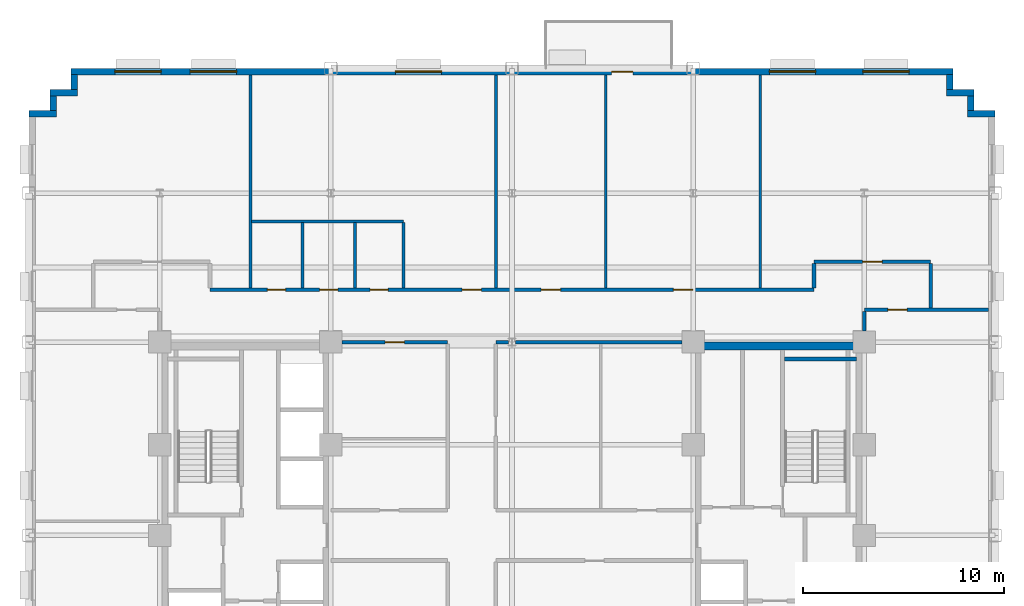
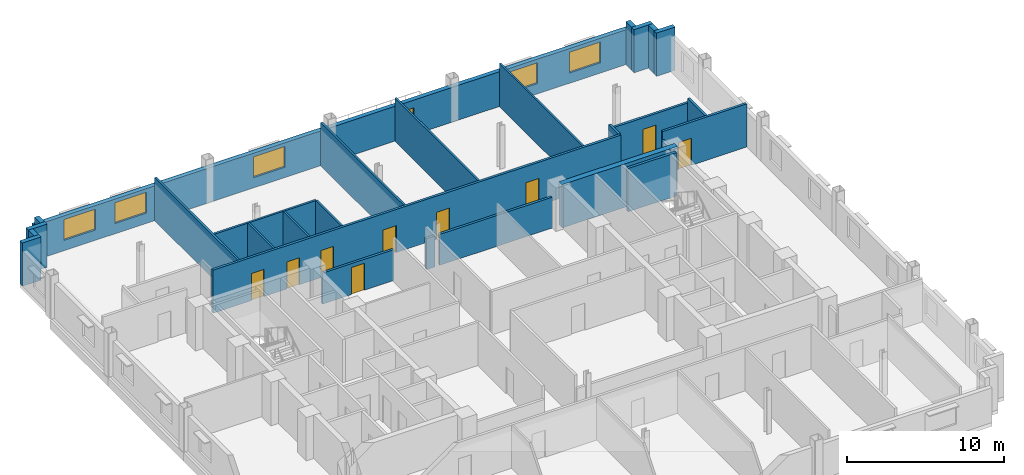
# One storey, part 9 of 14: 28 walls, 10 doors, 5 windows, 15 openings.
"""IFC4 building model written with IfcOpenShell, lengths in metres."""

from ifc_helpers import new_model, si_unit, direction, frame, frame_2d, origin, place, context, subcontext, project, spatial, rectangle, extrude, source, transform, mapped, material, layer, layer_set, type_object, type_shapes, element, fill, save


model = new_model("IFC4")

# Units and contexts
model_context = context("Model", 3, precision=1e-05, world=origin(), true_north=direction((0.0, 1.0)))
body_context = subcontext(model_context, "Body", "Model", "MODEL_VIEW")
ifc_project = project(units=[si_unit("LENGTHUNIT", "METRE"), si_unit("AREAUNIT", "SQUARE_METRE"), si_unit("VOLUMEUNIT", "CUBIC_METRE"), si_unit("PLANEANGLEUNIT", "RADIAN"), si_unit("MASSUNIT", "GRAM", prefix="KILO")], contexts=[model_context])

# Site, building, storey
site_placement = place(None, origin())
site = spatial("IfcSite", under=ifc_project, at=site_placement, CompositionType="ELEMENT")
building_placement = place(site_placement, origin())
building = spatial("IfcBuilding", under=site, at=building_placement, Name="Nuvemarco Arch Tower", CompositionType="ELEMENT")
storey_placement = place(building_placement, frame((0.0, 0.0, 98.300048828125)))
storey = spatial("IfcBuildingStorey", under=building, at=storey_placement, Name="L25", CompositionType="ELEMENT", Elevation=98.300048828125)

# Walls
ifc_material_1 = material(Name="Precast concrete C45/55", Category="concrete")
ifc_layer_1 = layer(ifc_material_1, 0.320068359375, Name="EW-MID-320")
ifc_layer_set_1 = layer_set([ifc_layer_1], Name="Precast concrete C45/55")
wall_type_1 = type_object("IfcWallType", Name="EW-MID-320", PredefinedType="STANDARD", material=ifc_layer_set_1)
wall_1_placement = place(storey_placement, frame((22.6298828125, 20.93994140625, 0.0), z_axis=(0.0, 0.0, 1.0), x_axis=(1.0, 0.0, 0.0)))
element("IfcWall", 1, at=wall_1_placement, inside=storey, type_object=wall_type_1, Name="L25 exterior precast facade wall 7", PredefinedType="STANDARD", context=body_context, shape_type="SweptSolid", body=[
    extrude(rectangle(XDim=1.3701171875, YDim=0.320068359375, at=frame_2d((0.68505859375, 0.0))), origin(), (0.0, 0.0, 1.0), 3.35986328125),
])
wall_2_placement = place(storey_placement, frame((22.7900390625, 21.095947265625, 0.0), z_axis=(0.0, 0.0, 1.0), x_axis=(0.0, 1.0, 0.0)))
element("IfcWall", 2, at=wall_2_placement, inside=storey, type_object=wall_type_1, Name="L25 exterior precast facade wall 8", PredefinedType="STANDARD", context=body_context, shape_type="SweptSolid", body=[
    extrude(rectangle(XDim=0.738037109375, YDim=0.320068359375, at=frame_2d((0.369140625, 0.0))), origin(), (0.0, 0.0, 1.0), 3.35986328125),
])
wall_3_placement = place(storey_placement, frame((21.580078125, 21.989990234375, 0.0), z_axis=(0.0, 0.0, 1.0), x_axis=(1.0, 0.0, 0.0)))
element("IfcWall", 3, at=wall_3_placement, inside=storey, type_object=wall_type_1, Name="L25 exterior precast facade wall 9", PredefinedType="STANDARD", context=body_context, shape_type="SweptSolid", body=[
    extrude(rectangle(XDim=1.369873046875, YDim=0.320068359375, at=frame_2d((0.68505859375, 0.0))), origin(), (0.0, 0.0, 1.0), 3.35986328125),
])
wall_4_placement = place(storey_placement, frame((21.739990234375, 22.14599609375, 0.0), z_axis=(0.0, 0.0, 1.0), x_axis=(0.0, 1.0, 0.0)))
element("IfcWall", 4, at=wall_4_placement, inside=storey, type_object=wall_type_1, Name="L25 exterior precast facade wall 10", PredefinedType="STANDARD", context=body_context, shape_type="SweptSolid", body=[
    extrude(rectangle(XDim=0.738037109375, YDim=0.320068359375, at=frame_2d((0.369140625, 0.0))), origin(), (0.0, 0.0, 1.0), 3.35986328125),
])

# Wall, openings, door, windows
wall_5_placement = place(storey_placement, frame((-21.89990234375, 23.0400390625, 0.0), z_axis=(0.0, 0.0, 1.0), x_axis=(1.0, 0.0, 0.0)))
wall_5 = element("IfcWall", 5, at=wall_5_placement, inside=storey, type_object=wall_type_1, Name="L25 exterior precast facade wall 11", PredefinedType="STANDARD", context=body_context, shape_type="SweptSolid", body=[
    extrude(rectangle(XDim=43.7998046875, YDim=0.320068359375, at=frame_2d((21.89990234375, 0.0))), origin(), (0.0, 0.0, 1.0), 2.704833984375),
])
opening_1_placement = place(wall_5_placement, frame((26.85009765625, 0.0, 0.0)))
opening_1 = element("IfcOpeningElement", 6, at=opening_1_placement, cuts=wall_5, Name="Opening ED-5", PredefinedType="OPENING", context=body_context, shape_type="SweptSolid", body=[
    extrude(rectangle(XDim=1.050048828125, YDim=2.10009765625, at=frame_2d((0.52490234375, 1.050048828125))), frame((0.0, 0.169921875, 0.0), z_axis=(0.0, -1.0, 0.0), x_axis=(1.0, 0.0, 0.0)), (0.0, 0.0, 1.0), 0.340087890625),
])
opening_2_placement = place(wall_5_placement, frame((2.172119140625, 0.0, 0.800048828125)))
opening_2 = element("IfcOpeningElement", 7, at=opening_2_placement, cuts=wall_5, Name="Opening WN-10", PredefinedType="OPENING", context=body_context, shape_type="SweptSolid", body=[
    extrude(rectangle(XDim=2.300048828125, YDim=1.6201171875, at=frame_2d((1.14990234375, 0.81005859375))), frame((0.0, 0.169921875, 0.0), z_axis=(0.0, -1.0, 0.0), x_axis=(1.0, 0.0, 0.0)), (0.0, 0.0, 1.0), 0.340087890625),
])
opening_3_placement = place(wall_5_placement, frame((5.916748046875, 0.0, 0.800048828125)))
opening_3 = element("IfcOpeningElement", 8, at=opening_3_placement, cuts=wall_5, Name="Opening WN-10", PredefinedType="OPENING", context=body_context, shape_type="SweptSolid", body=[
    extrude(rectangle(XDim=2.300048828125, YDim=1.6201171875, at=frame_2d((1.14990234375, 0.81005859375))), frame((0.0, 0.169921875, 0.0), z_axis=(0.0, -1.0, 0.0), x_axis=(1.0, 0.0, 0.0)), (0.0, 0.0, 1.0), 0.340087890625),
])
opening_4_placement = place(wall_5_placement, frame((16.105712890625, 0.0, 0.800048828125)))
opening_4 = element("IfcOpeningElement", 9, at=opening_4_placement, cuts=wall_5, Name="Opening WN-10", PredefinedType="OPENING", context=body_context, shape_type="SweptSolid", body=[
    extrude(rectangle(XDim=2.300048828125, YDim=1.6201171875, at=frame_2d((1.14990234375, 0.81005859375))), frame((0.0, 0.169921875, 0.0), z_axis=(0.0, -1.0, 0.0), x_axis=(1.0, 0.0, 0.0)), (0.0, 0.0, 1.0), 0.340087890625),
])
opening_5_placement = place(wall_5_placement, frame((34.683349609375, 0.0, 0.800048828125)))
opening_5 = element("IfcOpeningElement", 10, at=opening_5_placement, cuts=wall_5, Name="Opening WN-10", PredefinedType="OPENING", context=body_context, shape_type="SweptSolid", body=[
    extrude(rectangle(XDim=2.300048828125, YDim=1.6201171875, at=frame_2d((1.14990234375, 0.81005859375))), frame((0.0, 0.169921875, 0.0), z_axis=(0.0, -1.0, 0.0), x_axis=(1.0, 0.0, 0.0)), (0.0, 0.0, 1.0), 0.340087890625),
])
opening_6_placement = place(wall_5_placement, frame((39.327880859375, 0.0, 0.800048828125)))
opening_6 = element("IfcOpeningElement", 11, at=opening_6_placement, cuts=wall_5, Name="Opening WN-10", PredefinedType="OPENING", context=body_context, shape_type="SweptSolid", body=[
    extrude(rectangle(XDim=2.300048828125, YDim=1.6201171875, at=frame_2d((1.14990234375, 0.81005859375))), frame((0.0, 0.169921875, 0.0), z_axis=(0.0, -1.0, 0.0), x_axis=(1.0, 0.0, 0.0)), (0.0, 0.0, 1.0), 0.340087890625),
])
ifc_material_2 = material(Name="Anodised bronze and laminated glass", Category="glass")
door_type_1 = type_object("IfcDoorType", Name="DR-EXT-TERR", OperationType="NOTDEFINED", PredefinedType="DOOR", material=ifc_material_2)
shared_shape_1 = source(origin(), body_context, "Body", "SweptSolid", [
    extrude(rectangle(XDim=1.050048828125, YDim=2.10009765625, at=frame_2d((0.52490234375, 1.050048828125))), frame((0.0, 0.02490234375, 0.0), z_axis=(0.0, -1.0, 0.0), x_axis=(1.0, 0.0, 0.0)), (0.0, 0.0, 1.0), 0.050048828125),
])
type_shapes(door_type_1, [shared_shape_1])
door_1_placement = place(opening_1_placement, origin())
door_1 = element("IfcDoor", 12, at=door_1_placement, inside=storey, type_object=door_type_1, Name="L25 spiral terrace access door", OperationType="SINGLE_SWING_LEFT", OverallHeight=2.10009765625, OverallWidth=1.050048828125, PredefinedType="DOOR", context=body_context, shape_type="MappedRepresentation", body=[
    mapped(shared_shape_1, transform((0.0, 0.0, 0.0), scale=1.0)),
])
fill(opening_1, door_1)
ifc_material_3 = material(Name="Insulated solar-control glass", Category="glass")
window_type = type_object("IfcWindowType", Name="WN-STEP-2300x1700", PartitioningType="DOUBLE_PANEL_VERTICAL", PredefinedType="WINDOW", material=ifc_material_3)
shared_shape_2 = source(origin(), body_context, "Body", "SweptSolid", [
    extrude(rectangle(XDim=2.300048828125, YDim=1.6201171875, at=frame_2d((1.14990234375, 0.81005859375))), frame((0.0, 0.030029296875, 0.0), z_axis=(0.0, -1.0, 0.0), x_axis=(1.0, 0.0, 0.0)), (0.0, 0.0, 1.0), 0.06005859375),
])
type_shapes(window_type, [shared_shape_2])
window_1_placement = place(opening_2_placement, origin())
window_1 = element("IfcWindow", 13, at=window_1_placement, inside=storey, type_object=window_type, Name="L25 punched facade window 1", OverallHeight=1.6201171875, OverallWidth=2.300048828125, PartitioningType="SINGLE_PANEL", PredefinedType="WINDOW", context=body_context, shape_type="MappedRepresentation", body=[
    mapped(shared_shape_2, transform((0.0, 0.0, 0.0), scale=1.0)),
])
fill(opening_2, window_1)
window_2_placement = place(opening_3_placement, origin())
window_2 = element("IfcWindow", 14, at=window_2_placement, inside=storey, type_object=window_type, Name="L25 punched facade window 2", OverallHeight=1.6201171875, OverallWidth=2.300048828125, PartitioningType="SINGLE_PANEL", PredefinedType="WINDOW", context=body_context, shape_type="MappedRepresentation", body=[
    mapped(shared_shape_2, transform((0.0, 0.0, 0.0), scale=1.0)),
])
fill(opening_3, window_2)
window_3_placement = place(opening_4_placement, origin())
window_3 = element("IfcWindow", 15, at=window_3_placement, inside=storey, type_object=window_type, Name="L25 punched facade window 4", OverallHeight=1.6201171875, OverallWidth=2.300048828125, PartitioningType="SINGLE_PANEL", PredefinedType="WINDOW", context=body_context, shape_type="MappedRepresentation", body=[
    mapped(shared_shape_2, transform((0.0, 0.0, 0.0), scale=1.0)),
])
fill(opening_4, window_3)
window_4_placement = place(opening_5_placement, origin())
window_4 = element("IfcWindow", 16, at=window_4_placement, inside=storey, type_object=window_type, Name="L25 punched facade window 8", OverallHeight=1.6201171875, OverallWidth=2.300048828125, PartitioningType="SINGLE_PANEL", PredefinedType="WINDOW", context=body_context, shape_type="MappedRepresentation", body=[
    mapped(shared_shape_2, transform((0.0, 0.0, 0.0), scale=1.0)),
])
fill(opening_5, window_4)
window_5_placement = place(opening_6_placement, origin())
window_5 = element("IfcWindow", 17, at=window_5_placement, inside=storey, type_object=window_type, Name="L25 punched facade window 9", OverallHeight=1.6201171875, OverallWidth=2.300048828125, PartitioningType="SINGLE_PANEL", PredefinedType="WINDOW", context=body_context, shape_type="MappedRepresentation", body=[
    mapped(shared_shape_2, transform((0.0, 0.0, 0.0), scale=1.0)),
])
fill(opening_6, window_5)

# Walls
wall_6_placement = place(storey_placement, frame((-21.739990234375, 22.14599609375, 0.0), z_axis=(0.0, 0.0, 1.0), x_axis=(0.0, 1.0, 0.0)))
element("IfcWall", 18, at=wall_6_placement, inside=storey, type_object=wall_type_1, Name="L25 exterior precast facade wall 12", PredefinedType="STANDARD", context=body_context, shape_type="SweptSolid", body=[
    extrude(rectangle(XDim=0.738037109375, YDim=0.320068359375, at=frame_2d((0.369140625, 0.0))), origin(), (0.0, 0.0, 1.0), 3.35986328125),
])
wall_7_placement = place(storey_placement, frame((-22.949951171875, 21.989990234375, 0.0), z_axis=(0.0, 0.0, 1.0), x_axis=(1.0, 0.0, 0.0)))
element("IfcWall", 19, at=wall_7_placement, inside=storey, type_object=wall_type_1, Name="L25 exterior precast facade wall 13", PredefinedType="STANDARD", context=body_context, shape_type="SweptSolid", body=[
    extrude(rectangle(XDim=1.369873046875, YDim=0.320068359375, at=frame_2d((0.68505859375, 0.0))), origin(), (0.0, 0.0, 1.0), 3.35986328125),
])
wall_8_placement = place(storey_placement, frame((-22.7900390625, 21.095947265625, 0.0), z_axis=(0.0, 0.0, 1.0), x_axis=(0.0, 1.0, 0.0)))
element("IfcWall", 20, at=wall_8_placement, inside=storey, type_object=wall_type_1, Name="L25 exterior precast facade wall 14", PredefinedType="STANDARD", context=body_context, shape_type="SweptSolid", body=[
    extrude(rectangle(XDim=0.738037109375, YDim=0.320068359375, at=frame_2d((0.369140625, 0.0))), origin(), (0.0, 0.0, 1.0), 3.35986328125),
])
wall_9_placement = place(storey_placement, frame((-24.0, 20.93994140625, 0.0), z_axis=(0.0, 0.0, 1.0), x_axis=(1.0, 0.0, 0.0)))
element("IfcWall", 21, at=wall_9_placement, inside=storey, type_object=wall_type_1, Name="L25 exterior precast facade wall 15", PredefinedType="STANDARD", context=body_context, shape_type="SweptSolid", body=[
    extrude(rectangle(XDim=1.3701171875, YDim=0.320068359375, at=frame_2d((0.68505859375, 0.0))), origin(), (0.0, 0.0, 1.0), 3.35986328125),
])
ifc_material_4 = material(Name="Concrete C60/75", Category="concrete")
ifc_layer_2 = layer(ifc_material_4, 0.39990234375, Name="WL-CORE-400")
ifc_layer_set_2 = layer_set([ifc_layer_2], Name="Concrete C60/75")
wall_type_2 = type_object("IfcWallType", Name="WL-CORE-400", PredefinedType="SHEAR", material=ifc_layer_set_2)
wall_10_placement = place(storey_placement, frame((9.0, 9.39990234375, 0.0), z_axis=(0.0, 0.0, 1.0), x_axis=(1.0, 0.0, 0.0)))
element("IfcWall", 22, at=wall_10_placement, inside=storey, type_object=wall_type_2, Name="L25 E-core shear wall N", PredefinedType="SHEAR", context=body_context, shape_type="SweptSolid", body=[
    extrude(rectangle(XDim=8.5, YDim=0.39990234375, at=frame_2d((4.25, 0.0))), origin(), (0.0, 0.0, 1.0), 3.369873046875),
])

# Wall, opening, door
ifc_material_5 = material(Name="Fire-rated gypsum drywall partition")
ifc_layer_3 = layer(ifc_material_5, 0.179931640625, Name="WL-CORR-180")
ifc_layer_set_3 = layer_set([ifc_layer_3], Name="Fire-rated gypsum drywall partition")
wall_type_3 = type_object("IfcWallType", Name="WL-CORR-180", PredefinedType="PARTITIONING", material=ifc_layer_set_3)
wall_11_placement = place(storey_placement, frame((-8.4541015625, 9.60009765625, 0.0), z_axis=(0.0, 0.0, 1.0), x_axis=(1.0, 0.0, 0.0)))
wall_11 = element("IfcWall", 23, at=wall_11_placement, inside=storey, type_object=wall_type_3, Name="L25 interior wall IW-L25-015", PredefinedType="PARTITIONING", context=body_context, shape_type="SweptSolid", body=[
    extrude(rectangle(XDim=5.254150390625, YDim=0.179931640625, at=frame_2d((2.626953125, 0.0))), origin(), (0.0, 0.0, 1.0), 2.405029296875),
])
opening_7_placement = place(wall_11_placement, frame((2.14697265625, 0.0, 0.0)))
opening_7 = element("IfcOpeningElement", 24, at=opening_7_placement, cuts=wall_11, Name="Opening FD-5", PredefinedType="OPENING", context=body_context, shape_type="SweptSolid", body=[
    extrude(rectangle(XDim=0.9599609375, YDim=2.10009765625, at=frame_2d((0.47998046875, 1.050048828125))), frame((0.0, 0.099853515625, 0.0), z_axis=(0.0, -1.0, 0.0), x_axis=(1.0, 0.0, 0.0)), (0.0, 0.0, 1.0), 0.199951171875),
])
ifc_material_6 = material(Name="Timber fire door", Category="wood")
door_type_2 = type_object("IfcDoorType", Name="DR-CORR-FD", OperationType="NOTDEFINED", PredefinedType="DOOR", material=ifc_material_6)
shared_shape_3 = source(origin(), body_context, "Body", "SweptSolid", [
    extrude(rectangle(XDim=0.9599609375, YDim=2.10009765625, at=frame_2d((0.47998046875, 1.050048828125))), frame((0.0, 0.02490234375, 0.0), z_axis=(0.0, -1.0, 0.0), x_axis=(1.0, 0.0, 0.0)), (0.0, 0.0, 1.0), 0.050048828125),
])
type_shapes(door_type_2, [shared_shape_3])
door_2_placement = place(opening_7_placement, origin())
door_2 = element("IfcDoor", 25, at=door_2_placement, inside=storey, type_object=door_type_2, Name="L25 door DR-L25-C_NW2", OperationType="SINGLE_SWING_RIGHT", OverallHeight=2.10009765625, OverallWidth=0.9599609375, PredefinedType="DOOR", context=body_context, shape_type="MappedRepresentation", body=[
    mapped(shared_shape_3, transform((0.0, 0.0, 0.0), scale=1.0)),
])
fill(opening_7, door_2)

# Walls
wall_12_placement = place(storey_placement, frame((-0.800048828125, 9.60009765625, 0.0), z_axis=(0.0, 0.0, 1.0), x_axis=(1.0, 0.0, 0.0)))
element("IfcWall", 26, at=wall_12_placement, inside=storey, type_object=wall_type_3, Name="L25 interior wall IW-L25-016", PredefinedType="PARTITIONING", context=body_context, shape_type="SweptSolid", body=[
    extrude(rectangle(XDim=0.6240234375, YDim=0.179931640625, at=frame_2d((0.31201171875, 0.0))), origin(), (0.0, 0.0, 1.0), 2.405029296875),
])
wall_13_placement = place(storey_placement, frame((0.176025390625, 9.60009765625, 0.0), z_axis=(0.0, 0.0, 1.0), x_axis=(1.0, 0.0, 0.0)))
element("IfcWall", 27, at=wall_13_placement, inside=storey, type_object=wall_type_3, Name="L25 interior wall IW-L25-017", PredefinedType="PARTITIONING", context=body_context, shape_type="SweptSolid", body=[
    extrude(rectangle(XDim=8.278076171875, YDim=0.179931640625, at=frame_2d((4.13916015625, 0.0))), origin(), (0.0, 0.0, 1.0), 2.405029296875),
])

# Wall, opening, door
wall_14_placement = place(storey_placement, frame((17.5, 11.199951171875, 0.0), z_axis=(0.0, 0.0, 1.0), x_axis=(1.0, 0.0, 0.0)))
wall_14 = element("IfcWall", 28, at=wall_14_placement, inside=storey, type_object=wall_type_3, Name="L25 interior wall IW-L25-019", PredefinedType="PARTITIONING", context=body_context, shape_type="SweptSolid", body=[
    extrude(rectangle(XDim=6.179931640625, YDim=0.179931640625, at=frame_2d((3.08984375, 0.0))), origin(), (0.0, 0.0, 1.0), 3.35986328125),
])
opening_8_placement = place(wall_14_placement, frame((1.169921875, 0.0, 0.0)))
opening_8 = element("IfcOpeningElement", 29, at=opening_8_placement, cuts=wall_14, Name="Opening FD-5", PredefinedType="OPENING", context=body_context, shape_type="SweptSolid", body=[
    extrude(rectangle(XDim=0.9599609375, YDim=2.10009765625, at=frame_2d((0.47998046875, 1.050048828125))), frame((0.0, 0.099853515625, 0.0), z_axis=(0.0, -1.0, 0.0), x_axis=(1.0, 0.0, 0.0)), (0.0, 0.0, 1.0), 0.199951171875),
])
door_3_placement = place(opening_8_placement, origin())
door_3 = element("IfcDoor", 30, at=door_3_placement, inside=storey, type_object=door_type_2, Name="L25 door DR-L25-E_1", OperationType="SINGLE_SWING_LEFT", OverallHeight=2.10009765625, OverallWidth=0.9599609375, PredefinedType="DOOR", context=body_context, shape_type="MappedRepresentation", body=[
    mapped(shared_shape_3, transform((0.0, 0.0, 0.0), scale=1.0)),
])
fill(opening_8, door_3)

# Wall, openings, doors
wall_15_placement = place(storey_placement, frame((-15.0, 12.199951171875, 0.0), z_axis=(0.0, 0.0, 1.0), x_axis=(1.0, 0.0, 0.0)))
wall_15 = element("IfcWall", 31, at=wall_15_placement, inside=storey, type_object=wall_type_3, Name="L25 interior wall IW-L25-020", PredefinedType="PARTITIONING", context=body_context, shape_type="SweptSolid", body=[
    extrude(rectangle(XDim=30.0, YDim=0.179931640625, at=frame_2d((15.0, 0.0))), origin(), (0.0, 0.0, 1.0), 3.35986328125),
])
opening_9_placement = place(wall_15_placement, frame((23.02001953125, 0.0, 0.0)))
opening_9 = element("IfcOpeningElement", 32, at=opening_9_placement, cuts=wall_15, Name="Opening FD-5", PredefinedType="OPENING", context=body_context, shape_type="SweptSolid", body=[
    extrude(rectangle(XDim=0.9599609375, YDim=2.10009765625, at=frame_2d((0.47998046875, 1.050048828125))), frame((0.0, 0.099853515625, 0.0), z_axis=(0.0, -1.0, 0.0), x_axis=(1.0, 0.0, 0.0)), (0.0, 0.0, 1.0), 0.199951171875),
])
opening_10_placement = place(wall_15_placement, frame((16.449951171875, 0.0, 0.0)))
opening_10 = element("IfcOpeningElement", 33, at=opening_10_placement, cuts=wall_15, Name="Opening FD-5", PredefinedType="OPENING", context=body_context, shape_type="SweptSolid", body=[
    extrude(rectangle(XDim=0.9599609375, YDim=2.10009765625, at=frame_2d((0.47998046875, 1.050048828125))), frame((0.0, 0.099853515625, 0.0), z_axis=(0.0, -1.0, 0.0), x_axis=(1.0, 0.0, 0.0)), (0.0, 0.0, 1.0), 0.199951171875),
])
opening_11_placement = place(wall_15_placement, frame((5.449951171875, 0.0, 0.0)))
opening_11 = element("IfcOpeningElement", 34, at=opening_11_placement, cuts=wall_15, Name="Opening ID-3", PredefinedType="OPENING", context=body_context, shape_type="SweptSolid", body=[
    extrude(rectangle(XDim=0.89990234375, YDim=2.10009765625, at=frame_2d((0.449951171875, 1.050048828125))), frame((0.0, 0.099853515625, 0.0), z_axis=(0.0, -1.0, 0.0), x_axis=(1.0, 0.0, 0.0)), (0.0, 0.0, 1.0), 0.199951171875),
])
opening_12_placement = place(wall_15_placement, frame((2.85009765625, 0.0, 0.0)))
opening_12 = element("IfcOpeningElement", 35, at=opening_12_placement, cuts=wall_15, Name="Opening ID-3", PredefinedType="OPENING", context=body_context, shape_type="SweptSolid", body=[
    extrude(rectangle(XDim=0.89990234375, YDim=2.10009765625, at=frame_2d((0.449951171875, 1.050048828125))), frame((0.0, 0.099853515625, 0.0), z_axis=(0.0, -1.0, 0.0), x_axis=(1.0, 0.0, 0.0)), (0.0, 0.0, 1.0), 0.199951171875),
])
opening_13_placement = place(wall_15_placement, frame((12.52001953125, 0.0, 0.0)))
opening_13 = element("IfcOpeningElement", 36, at=opening_13_placement, cuts=wall_15, Name="Opening FD-5", PredefinedType="OPENING", context=body_context, shape_type="SweptSolid", body=[
    extrude(rectangle(XDim=0.9599609375, YDim=2.10009765625, at=frame_2d((0.47998046875, 1.050048828125))), frame((0.0, 0.099853515625, 0.0), z_axis=(0.0, -1.0, 0.0), x_axis=(1.0, 0.0, 0.0)), (0.0, 0.0, 1.0), 0.199951171875),
])
opening_14_placement = place(wall_15_placement, frame((7.949951171875, 0.0, 0.0)))
opening_14 = element("IfcOpeningElement", 37, at=opening_14_placement, cuts=wall_15, Name="Opening ID-3", PredefinedType="OPENING", context=body_context, shape_type="SweptSolid", body=[
    extrude(rectangle(XDim=0.89990234375, YDim=2.10009765625, at=frame_2d((0.449951171875, 1.050048828125))), frame((0.0, 0.099853515625, 0.0), z_axis=(0.0, -1.0, 0.0), x_axis=(1.0, 0.0, 0.0)), (0.0, 0.0, 1.0), 0.199951171875),
])
door_4_placement = place(opening_9_placement, origin())
door_4 = element("IfcDoor", 38, at=door_4_placement, inside=storey, type_object=door_type_2, Name="L25 door DR-L25-N_4", OperationType="SINGLE_SWING_LEFT", OverallHeight=2.10009765625, OverallWidth=0.9599609375, PredefinedType="DOOR", context=body_context, shape_type="MappedRepresentation", body=[
    mapped(shared_shape_3, transform((0.0, 0.0, 0.0), scale=1.0)),
])
fill(opening_9, door_4)
door_5_placement = place(opening_10_placement, origin())
door_5 = element("IfcDoor", 39, at=door_5_placement, inside=storey, type_object=door_type_2, Name="L25 door DR-L25-N_3", OperationType="SINGLE_SWING_LEFT", OverallHeight=2.10009765625, OverallWidth=0.9599609375, PredefinedType="DOOR", context=body_context, shape_type="MappedRepresentation", body=[
    mapped(shared_shape_3, transform((0.0, 0.0, 0.0), scale=1.0)),
])
fill(opening_10, door_5)
door_6_placement = place(opening_13_placement, origin())
door_6 = element("IfcDoor", 40, at=door_6_placement, inside=storey, type_object=door_type_2, Name="L25 door DR-L25-N_2", OperationType="SINGLE_SWING_RIGHT", OverallHeight=2.10009765625, OverallWidth=0.9599609375, PredefinedType="DOOR", context=body_context, shape_type="MappedRepresentation", body=[
    mapped(shared_shape_3, transform((0.0, 0.0, 0.0), scale=1.0)),
])
fill(opening_13, door_6)
ifc_material_7 = material(Name="Veneered oak timber fire door", Category="wood")
door_type_3 = type_object("IfcDoorType", Name="DR-WC-ACC", OperationType="NOTDEFINED", PredefinedType="DOOR", material=ifc_material_7)
shared_shape_4 = source(origin(), body_context, "Body", "SweptSolid", [
    extrude(rectangle(XDim=0.89990234375, YDim=2.10009765625, at=frame_2d((0.449951171875, 1.050048828125))), frame((0.0, 0.02490234375, 0.0), z_axis=(0.0, -1.0, 0.0), x_axis=(1.0, 0.0, 0.0)), (0.0, 0.0, 1.0), 0.050048828125),
])
type_shapes(door_type_3, [shared_shape_4])
door_7_placement = place(opening_11_placement, origin())
door_7 = element("IfcDoor", 41, at=door_7_placement, inside=storey, type_object=door_type_3, Name="L25 door DR-L25-WC_F", OperationType="SINGLE_SWING_RIGHT", OverallHeight=2.10009765625, OverallWidth=0.89990234375, PredefinedType="DOOR", context=body_context, shape_type="MappedRepresentation", body=[
    mapped(shared_shape_4, transform((0.0, 0.0, 0.0), scale=1.0)),
])
fill(opening_11, door_7)
door_8_placement = place(opening_12_placement, origin())
door_8 = element("IfcDoor", 42, at=door_8_placement, inside=storey, type_object=door_type_3, Name="L25 door DR-L25-WC_M", OperationType="SINGLE_SWING_LEFT", OverallHeight=2.10009765625, OverallWidth=0.89990234375, PredefinedType="DOOR", context=body_context, shape_type="MappedRepresentation", body=[
    mapped(shared_shape_4, transform((0.0, 0.0, 0.0), scale=1.0)),
])
fill(opening_12, door_8)
door_9_placement = place(opening_14_placement, origin())
door_9 = element("IfcDoor", 43, at=door_9_placement, inside=storey, type_object=door_type_3, Name="L25 door DR-L25-WC_ACC", OperationType="SINGLE_SWING_LEFT", OverallHeight=2.10009765625, OverallWidth=0.89990234375, PredefinedType="DOOR", context=body_context, shape_type="MappedRepresentation", body=[
    mapped(shared_shape_4, transform((0.0, 0.0, 0.0), scale=1.0)),
])
fill(opening_14, door_9)

# Wall, opening, door
wall_16_placement = place(storey_placement, frame((15.0, 13.60009765625, 0.0), z_axis=(0.0, 0.0, 1.0), x_axis=(1.0, 0.0, 0.0)))
wall_16 = element("IfcWall", 44, at=wall_16_placement, inside=storey, type_object=wall_type_3, Name="L25 interior wall IW-L25-022", PredefinedType="PARTITIONING", context=body_context, shape_type="SweptSolid", body=[
    extrude(rectangle(XDim=5.800048828125, YDim=0.179931640625, at=frame_2d((2.89990234375, 0.0))), origin(), (0.0, 0.0, 1.0), 2.998046875),
])
opening_15_placement = place(wall_16_placement, frame((2.419921875, 0.0, 0.0)))
opening_15 = element("IfcOpeningElement", 45, at=opening_15_placement, cuts=wall_16, Name="Opening FD-5", PredefinedType="OPENING", context=body_context, shape_type="SweptSolid", body=[
    extrude(rectangle(XDim=0.9599609375, YDim=2.10009765625, at=frame_2d((0.47998046875, 1.050048828125))), frame((0.0, 0.099853515625, 0.0), z_axis=(0.0, -1.0, 0.0), x_axis=(1.0, 0.0, 0.0)), (0.0, 0.0, 1.0), 0.199951171875),
])
door_10_placement = place(opening_15_placement, origin())
door_10 = element("IfcDoor", 46, at=door_10_placement, inside=storey, type_object=door_type_2, Name="L25 door DR-L25-N_5", OperationType="SINGLE_SWING_LEFT", OverallHeight=2.10009765625, OverallWidth=0.9599609375, PredefinedType="DOOR", context=body_context, shape_type="MappedRepresentation", body=[
    mapped(shared_shape_3, transform((0.0, 0.0, 0.0), scale=1.0)),
])
fill(opening_15, door_10)

# Walls
wall_17_placement = place(storey_placement, frame((15.0, 12.285888671875, 0.0), z_axis=(0.0, 0.0, 1.0), x_axis=(0.0, 1.0, 0.0)))
element("IfcWall", 47, at=wall_17_placement, inside=storey, type_object=wall_type_3, Name="L25 interior wall IW-L25-049", PredefinedType="PARTITIONING", context=body_context, shape_type="SweptSolid", body=[
    extrude(rectangle(XDim=1.22802734375, YDim=0.179931640625, at=frame_2d((0.614013671875, 0.0))), origin(), (0.0, 0.0, 1.0), 3.35986328125),
])
wall_18_placement = place(storey_placement, frame((17.5, 10.14599609375, 0.0), z_axis=(0.0, 0.0, 1.0), x_axis=(0.0, 1.0, 0.0)))
element("IfcWall", 48, at=wall_18_placement, inside=storey, type_object=wall_type_3, Name="L25 interior wall IW-L25-051", PredefinedType="PARTITIONING", context=body_context, shape_type="SweptSolid", body=[
    extrude(rectangle(XDim=0.968017578125, YDim=0.179931640625, at=frame_2d((0.48388671875, 0.0))), origin(), (0.0, 0.0, 1.0), 2.738037109375),
])
wall_19_placement = place(storey_placement, frame((20.800048828125, 11.285888671875, 0.0), z_axis=(0.0, 0.0, 1.0), x_axis=(0.0, 1.0, 0.0)))
element("IfcWall", 49, at=wall_19_placement, inside=storey, type_object=wall_type_3, Name="L25 interior wall IW-L25-054", PredefinedType="PARTITIONING", context=body_context, shape_type="SweptSolid", body=[
    extrude(rectangle(XDim=2.22802734375, YDim=0.179931640625, at=frame_2d((1.114013671875, 0.0))), origin(), (0.0, 0.0, 1.0), 3.35986328125),
])
ifc_material_8 = material(Name="Glazed acoustic office partition")
ifc_layer_4 = layer(ifc_material_8, 0.1298828125, Name="WL-EXEC-130")
ifc_layer_set_4 = layer_set([ifc_layer_4], Name="Glazed acoustic office partition")
wall_type_4 = type_object("IfcWallType", Name="WL-EXEC-130", PredefinedType="PARTITIONING", material=ifc_layer_set_4)
wall_20_placement = place(storey_placement, frame((12.340087890625, 12.285888671875, 0.0), z_axis=(0.0, 0.0, 1.0), x_axis=(0.0, 1.0, 0.0)))
element("IfcWall", 50, at=wall_20_placement, inside=storey, type_object=wall_type_4, Name="L25 interior wall IW-L25-047", PredefinedType="PARTITIONING", context=body_context, shape_type="SweptSolid", body=[
    extrude(rectangle(XDim=10.593994140625, YDim=0.1298828125, at=frame_2d((5.296875, 0.0))), origin(), (0.0, 0.0, 1.0), 3.35986328125),
])
ifc_material_9 = material(Name="Gypsum plasterboard partition")
ifc_layer_5 = layer(ifc_material_9, 0.139892578125, Name="WL-ROOM-140")
ifc_layer_set_5 = layer_set([ifc_layer_5], Name="Gypsum plasterboard partition")
wall_type_5 = type_object("IfcWallType", Name="WL-ROOM-140", PredefinedType="PARTITIONING", material=ifc_layer_set_5)
for number, where, z_axis, x_axis, name in (
    (51, (-0.800048828125, 12.285888671875, 0.0), (0.0, 0.0, 1.0), (0.0, 1.0, 0.0), "L25 interior wall IW-L25-042"),
    (52, (4.659912109375, 12.285888671875, 0.0), (0.0, 0.0, 1.0), (0.0, 1.0, 0.0), "L25 interior wall IW-L25-044"),
):
    element("IfcWall", number, at=place(storey_placement, frame(where, z_axis=z_axis, x_axis=x_axis)), inside=storey, type_object=wall_type_5, Name=name, PredefinedType="PARTITIONING", context=body_context, shape_type="SweptSolid", body=[
        extrude(rectangle(XDim=10.593994140625, YDim=0.139892578125, at=frame_2d((5.296875, 0.0))), origin(), (0.0, 0.0, 1.0), 3.35986328125),
    ])
ifc_material_10 = material(Name="Concrete C50/60", Category="concrete")
ifc_layer_6 = layer(ifc_material_10, 0.199951171875, Name="WL-SHAFT-220")
ifc_layer_set_6 = layer_set([ifc_layer_6], Name="Concrete C50/60")
wall_type_6 = type_object("IfcWallType", Name="WL-SHAFT-220", PredefinedType="SHEAR", material=ifc_layer_set_6)
wall_21_placement = place(storey_placement, frame((13.534912109375, 8.75, 0.0), z_axis=(0.0, 0.0, 1.0), x_axis=(1.0, 0.0, 0.0)))
element("IfcWall", 53, at=wall_21_placement, inside=storey, type_object=wall_type_6, Name="L25 structural shaft wall SW-L25-E-ST2N", PredefinedType="SHEAR", context=body_context, shape_type="SweptSolid", body=[
    extrude(rectangle(XDim=3.570068359375, YDim=0.199951171875, at=frame_2d((1.78515625, 0.0))), origin(), (0.0, 0.0, 1.0), 3.369873046875),
])
ifc_material_11 = material(Name="Moisture-resistant gypsum partition")
ifc_layer_7 = layer(ifc_material_11, 0.14990234375, Name="WL-WET-150")
ifc_layer_set_7 = layer_set([ifc_layer_7], Name="Moisture-resistant gypsum partition")
wall_type_7 = type_object("IfcWallType", Name="WL-WET-150", PredefinedType="PARTITIONING", material=ifc_layer_set_7)
wall_22_placement = place(storey_placement, frame((-12.928955078125, 15.60009765625, 0.0), z_axis=(0.0, 0.0, 1.0), x_axis=(1.0, 0.0, 0.0)))
element("IfcWall", 54, at=wall_22_placement, inside=storey, type_object=wall_type_7, Name="L25 interior wall IW-L25-023", PredefinedType="PARTITIONING", context=body_context, shape_type="SweptSolid", body=[
    extrude(rectangle(XDim=7.529052734375, YDim=0.14990234375, at=frame_2d((3.7646484375, 0.0))), origin(), (0.0, 0.0, 1.0), 3.35986328125),
])
wall_23_placement = place(storey_placement, frame((-13.0, 12.285888671875, 0.0), z_axis=(0.0, 0.0, 1.0), x_axis=(0.0, 1.0, 0.0)))
element("IfcWall", 55, at=wall_23_placement, inside=storey, type_object=wall_type_7, Name="L25 interior wall IW-L25-032", PredefinedType="PARTITIONING", context=body_context, shape_type="SweptSolid", body=[
    extrude(rectangle(XDim=10.593994140625, YDim=0.14990234375, at=frame_2d((5.296875, 0.0))), origin(), (0.0, 0.0, 1.0), 3.35986328125),
])
for number, where, z_axis, x_axis, name in (
    (56, (-10.39990234375, 12.285888671875, 0.0), (0.0, 0.0, 1.0), (0.0, 1.0, 0.0), "L25 interior wall IW-L25-033"),
    (57, (-7.800048828125, 12.285888671875, 0.0), (0.0, 0.0, 1.0), (0.0, 1.0, 0.0), "L25 interior wall IW-L25-034"),
    (58, (-5.39990234375, 12.285888671875, 0.0), (0.0, 0.0, 1.0), (0.0, 1.0, 0.0), "L25 interior wall IW-L25-036"),
):
    element("IfcWall", number, at=place(storey_placement, frame(where, z_axis=z_axis, x_axis=x_axis)), inside=storey, type_object=wall_type_7, Name=name, PredefinedType="PARTITIONING", context=body_context, shape_type="SweptSolid", body=[
        extrude(rectangle(XDim=3.2431640625, YDim=0.14990234375, at=frame_2d((1.62158203125, 0.0))), origin(), (0.0, 0.0, 1.0), 3.35986328125),
    ])

save(model, "model.ifc")
